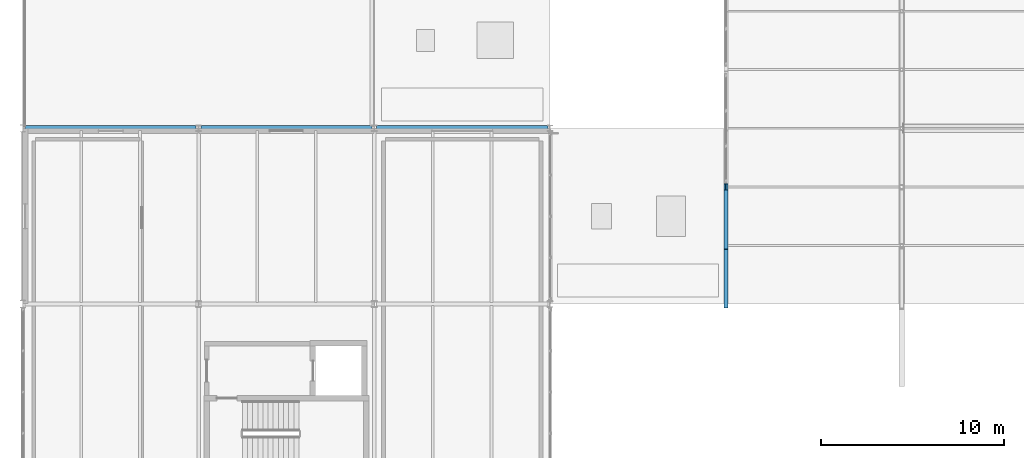
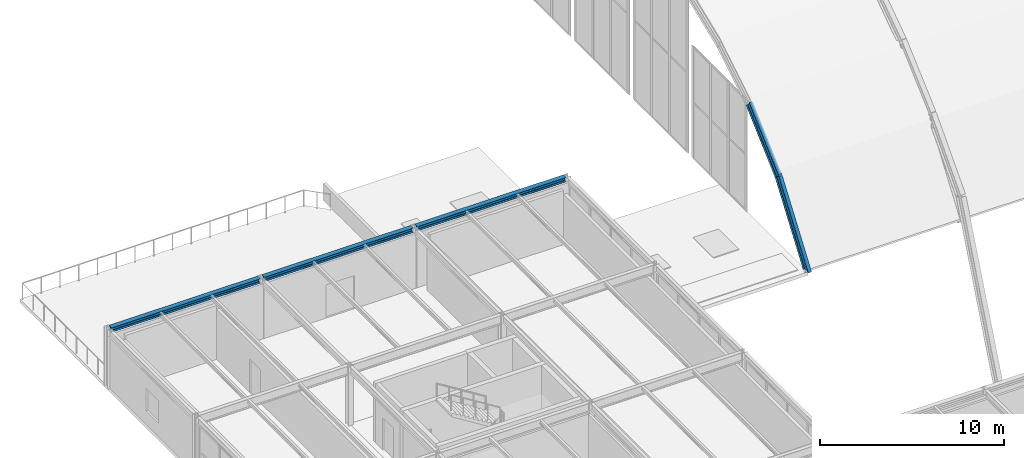
# One storey, part 38 of 126: 5 beams.
"""IFC4 building model written with IfcOpenShell, lengths in metres."""

from ifc_helpers import new_model, si_unit, direction, frame, origin, origin_2d, place, context, subcontext, project, spatial, i_section, extrude, material, material_profile, profile_set, type_object, element, save


model = new_model("IFC4")

# Units and contexts
model_context = context("Model", 3, precision=1e-05, world=origin(), true_north=direction((0.0, 1.0)))
body_context = subcontext(model_context, "Body", "Model", "MODEL_VIEW")
ifc_project = project(units=[si_unit("LENGTHUNIT", "METRE"), si_unit("AREAUNIT", "SQUARE_METRE"), si_unit("VOLUMEUNIT", "CUBIC_METRE"), si_unit("PLANEANGLEUNIT", "RADIAN"), si_unit("MASSUNIT", "GRAM", prefix="KILO")], contexts=[model_context])

# Site, building, storey
site_placement = place(None, origin())
site = spatial("IfcSite", under=ifc_project, at=site_placement, CompositionType="ELEMENT")
building_placement = place(site_placement, origin())
building = spatial("IfcBuilding", under=site, at=building_placement, Name="Coralgate Yard Interchange", CompositionType="ELEMENT")
storey_placement = place(building_placement, frame((0.0, 0.0, 10.5)))
storey = spatial("IfcBuildingStorey", under=building, at=storey_placement, Name="L02", CompositionType="ELEMENT", Elevation=10.5)

# Beams
ifc_material_1 = material(Name="Structural steel S355J2", Category="steel")
ifc_material_profile_1 = material_profile(ifc_material_1, i_section(OverallWidth=0.300048828125, OverallDepth=0.2900390625, WebThickness=0.008544921875, FlangeThickness=0.013916015625, FilletRadius=0.027099609375, at=origin_2d()), Name="HEA 300")
ifc_profile_set_1 = profile_set([ifc_material_profile_1], Name="Structural steel S355J2")
beam_type_1 = type_object("IfcBeamType", Name="BM-SP-2", PredefinedType="SPANDREL", material=ifc_profile_set_1)
beam_1_placement = place(storey_placement, frame((0.1201171875, 48.0, 3.804931640625), z_axis=(1.0, 0.0, 0.0), x_axis=(0.0, 1.0, 0.0)))
element("IfcBeam", 1, at=beam_1_placement, inside=storey, type_object=beam_type_1, Name="L02 primary grid beam Y5 X0-1", PredefinedType="SPANDREL", context=body_context, shape_type="SweptSolid", body=[
    extrude(i_section(OverallWidth=0.300048828125, OverallDepth=0.2900390625, WebThickness=0.008544921875, FlangeThickness=0.013916015625, FilletRadius=0.027099609375, at=origin_2d()), origin(), (0.0, 0.0, 1.0), 9.3525390625),
])
for number, where, z_axis, x_axis, name in (
    (2, (9.727294921875, 48.0, 3.804931640625), (1.0, 0.0, 0.0), (0.0, 1.0, 0.0), "L02 primary grid beam Y5 X1-2"),
    (3, (19.3271484375, 48.0, 3.804931640625), (1.0, 0.0, 0.0), (0.0, 1.0, 0.0), "L02 primary grid beam Y5 X2-3"),
):
    element("IfcBeam", number, at=place(storey_placement, frame(where, z_axis=z_axis, x_axis=x_axis)), inside=storey, type_object=beam_type_1, Name=name, PredefinedType="SPANDREL", context=body_context, shape_type="SweptSolid", body=[
        extrude(i_section(OverallWidth=0.300048828125, OverallDepth=0.2900390625, WebThickness=0.008544921875, FlangeThickness=0.013916015625, FilletRadius=0.027099609375, at=origin_2d()), origin(), (0.0, 0.0, 1.0), 9.345458984375),
    ])
ifc_material_2 = material(Name="Weather-coated structural steel S355J2", Category="steel")
ifc_material_profile_2 = material_profile(ifc_material_2, i_section(OverallWidth=0.209228515625, OverallDepth=0.533203125, WebThickness=0.010009765625, FlangeThickness=0.015625, FilletRadius=0.0126953125, at=origin_2d()), Name="UB 533x210x92")
ifc_profile_set_2 = profile_set([ifc_material_profile_2], Name="Weather-coated structural steel S355J2")
beam_type_2 = type_object("IfcBeamType", Name="BM-VR-1", PredefinedType="BEAM", material=ifc_profile_set_2)
beam_2_placement = place(storey_placement, frame((38.39990234375, 38.39990234375, -0.053466796875), z_axis=(0.0, 0.58185107692, 0.813295348743), x_axis=(-1.0, 0.0, 0.0)))
element("IfcBeam", 4, at=beam_2_placement, inside=storey, type_object=beam_type_2, Name="Barrel-vault gridshell rib 1 seg 1", PredefinedType="BEAM", context=body_context, shape_type="SweptSolid", body=[
    extrude(i_section(OverallWidth=0.209228515625, OverallDepth=0.533203125, WebThickness=0.010009765625, FlangeThickness=0.015625, FilletRadius=0.0126953125, at=origin_2d()), origin(), (0.0, 0.0, 1.0), 5.5),
])
beam_3_placement = place(storey_placement, frame((38.39990234375, 41.60009765625, 4.419677734375), z_axis=(0.0, 0.739475275209, 0.673183717387), x_axis=(-1.0, 0.0, 0.0)))
element("IfcBeam", 5, at=beam_3_placement, inside=storey, type_object=beam_type_2, Name="Barrel-vault gridshell rib 1 seg 2", PredefinedType="BEAM", context=body_context, shape_type="SweptSolid", body=[
    extrude(i_section(OverallWidth=0.209228515625, OverallDepth=0.533203125, WebThickness=0.010009765625, FlangeThickness=0.015625, FilletRadius=0.0126953125, at=origin_2d()), origin(), (0.0, 0.0, 1.0), 4.327392578125),
])

save(model, "model.ifc")
